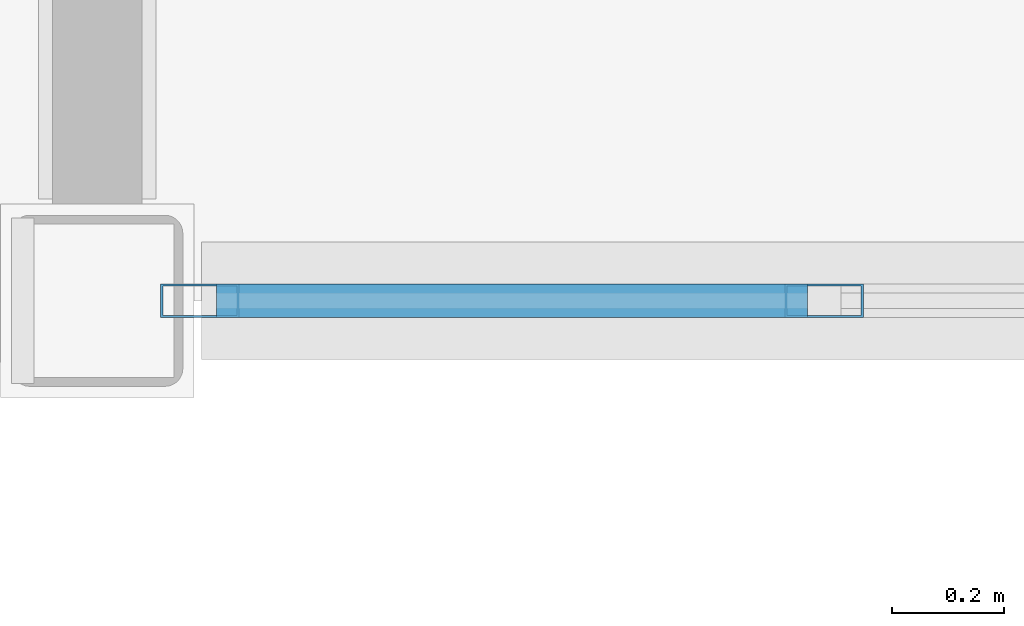
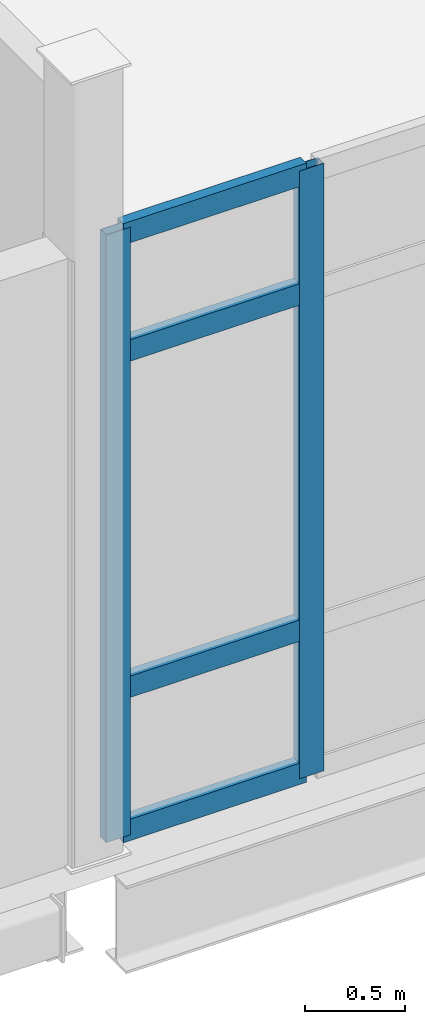
# One storey, part 29 of 186: 6 members, 1 element without a shape of its own.
"""IFC4 building model written with IfcOpenShell, lengths in metres."""

from ifc_helpers import new_model, si_unit, direction, frame, origin, origin_2d, place, context, subcontext, project, spatial, hollow_rectangle, extrude, material, layer, layer_set, material_profile, profile_set, type_object, element, aggregate, save


model = new_model("IFC4")

# Units and contexts
model_context = context("Model", 3, precision=1e-05, world=origin(), true_north=direction((0.0, 1.0)))
body_context = subcontext(model_context, "Body", "Model", "MODEL_VIEW")
ifc_project = project(units=[si_unit("LENGTHUNIT", "METRE"), si_unit("AREAUNIT", "SQUARE_METRE"), si_unit("VOLUMEUNIT", "CUBIC_METRE"), si_unit("PLANEANGLEUNIT", "RADIAN"), si_unit("MASSUNIT", "GRAM", prefix="KILO")], contexts=[model_context])

# Site, building, storey
site_placement = place(None, origin())
site = spatial("IfcSite", under=ifc_project, at=site_placement, CompositionType="ELEMENT")
building_placement = place(site_placement, origin())
building = spatial("IfcBuilding", under=site, at=building_placement, Name="Calvrana Isthmian Art Gallery", CompositionType="ELEMENT")
storey_placement = place(building_placement, frame((0.0, 0.0, 5.39990234375)))
storey = spatial("IfcBuildingStorey", under=building, at=storey_placement, Name="L01", CompositionType="ELEMENT", Elevation=5.39990234375)

# Curtain wall, members
ifc_material = material(Name="Anodized bronze aluminium 6063-T6", Category="aluminium")
ifc_layer = layer(ifc_material, 0.179931640625, Name="Anodized bronze aluminium 6063-T6")
ifc_layer_set = layer_set([ifc_layer], Name="Anodized bronze aluminium 6063-T6")
curtain_wall_type = type_object("IfcCurtainWallType", Name="CW-UNIT-069X37", PredefinedType="USERDEFINED", material=ifc_layer_set)
curtain_wall_placement = place(storey_placement, origin())
curtain_wall = element("IfcCurtainWall", 1, at=curtain_wall_placement, inside=storey, type_object=curtain_wall_type, Name="Curtain wall CW-096", ObjectType="UNITISED CURTAIN WALL", PredefinedType="USERDEFINED")
ifc_material_profile_1 = material_profile(ifc_material, hollow_rectangle(XDim=0.06005859375, YDim=0.139892578125, WallThickness=0.00390625, at=origin_2d()), Name="CWM60X140")
ifc_profile_set_1 = profile_set([ifc_material_profile_1], Name="Anodized bronze aluminium 6063-T6")
member_type_1 = type_object("IfcMemberType", Name="CWM-CWM60X140", PredefinedType="MULLION", material=ifc_profile_set_1)
member_1_placement = place(storey_placement, frame((15.694091796875, 46.800048828125, 0.0), z_axis=(0.0, 0.0, 1.0), x_axis=(0.0, -1.0, 0.0)))
member_1 = element("IfcMember", 2, at=member_1_placement, type_object=member_type_1, Name="CW-096 mullion 6", PredefinedType="MULLION", context=body_context, shape_type="SweptSolid", body=[
    extrude(hollow_rectangle(XDim=0.06005859375, YDim=0.139892578125, WallThickness=0.00390625, at=origin_2d()), origin(), (0.0, 0.0, 1.0), 3.695068359375),
])
member_2_placement = place(storey_placement, frame((14.58251953125, 46.800048828125, 0.0), z_axis=(0.0, 0.0, 1.0), x_axis=(0.0, -1.0, 0.0)))
member_2 = element("IfcMember", 3, at=member_2_placement, type_object=member_type_1, Name="CW-096 mullion 7", PredefinedType="MULLION", context=body_context, shape_type="SweptSolid", body=[
    extrude(hollow_rectangle(XDim=0.06005859375, YDim=0.139892578125, WallThickness=0.00390625, at=origin_2d()), origin(), (0.0, 0.0, 1.0), 3.695068359375),
])
ifc_material_profile_2 = material_profile(ifc_material, hollow_rectangle(XDim=0.06005859375, YDim=0.1298828125, WallThickness=0.00390625, at=origin_2d()), Name="CWT60X130")
ifc_profile_set_2 = profile_set([ifc_material_profile_2], Name="Anodized bronze aluminium 6063-T6")
member_type_2 = type_object("IfcMemberType", Name="CWT-CWT60X130", PredefinedType="USERDEFINED", material=ifc_profile_set_2)
member_3_placement = place(storey_placement, frame((15.6640625, 46.800048828125, 0.030029296875), z_axis=(-1.0, 0.0, 0.0), x_axis=(0.0, -1.0, 0.0)))
member_3 = element("IfcMember", 4, at=member_3_placement, type_object=member_type_2, Name="CW-096 transom 6.1", ObjectType="TRANSOM", PredefinedType="USERDEFINED", context=body_context, shape_type="SweptSolid", body=[
    extrude(hollow_rectangle(XDim=0.06005859375, YDim=0.1298828125, WallThickness=0.00390625, at=origin_2d()), origin(), (0.0, 0.0, 1.0), 1.0517578125),
])
member_4_placement = place(storey_placement, frame((15.6640625, 46.800048828125, 0.900146484375), z_axis=(-1.0, 0.0, 0.0), x_axis=(0.0, -1.0, 0.0)))
member_4 = element("IfcMember", 5, at=member_4_placement, type_object=member_type_2, Name="CW-096 transom 6.2", ObjectType="TRANSOM", PredefinedType="USERDEFINED", context=body_context, shape_type="SweptSolid", body=[
    extrude(hollow_rectangle(XDim=0.06005859375, YDim=0.1298828125, WallThickness=0.00390625, at=origin_2d()), origin(), (0.0, 0.0, 1.0), 1.0517578125),
])
member_5_placement = place(storey_placement, frame((15.6640625, 46.800048828125, 2.945068359375), z_axis=(-1.0, 0.0, 0.0), x_axis=(0.0, -1.0, 0.0)))
member_5 = element("IfcMember", 6, at=member_5_placement, type_object=member_type_2, Name="CW-096 transom 6.3", ObjectType="TRANSOM", PredefinedType="USERDEFINED", context=body_context, shape_type="SweptSolid", body=[
    extrude(hollow_rectangle(XDim=0.06005859375, YDim=0.1298828125, WallThickness=0.00390625, at=origin_2d()), origin(), (0.0, 0.0, 1.0), 1.0517578125),
])
member_6_placement = place(storey_placement, frame((15.6640625, 46.800048828125, 3.6650390625), z_axis=(-1.0, 0.0, 0.0), x_axis=(0.0, -1.0, 0.0)))
member_6 = element("IfcMember", 7, at=member_6_placement, type_object=member_type_2, Name="CW-096 transom 6.4", ObjectType="TRANSOM", PredefinedType="USERDEFINED", context=body_context, shape_type="SweptSolid", body=[
    extrude(hollow_rectangle(XDim=0.06005859375, YDim=0.1298828125, WallThickness=0.00390625, at=origin_2d()), origin(), (0.0, 0.0, 1.0), 1.0517578125),
])
aggregate(curtain_wall, [member_1, member_2, member_3, member_4, member_5, member_6])

save(model, "model.ifc")
